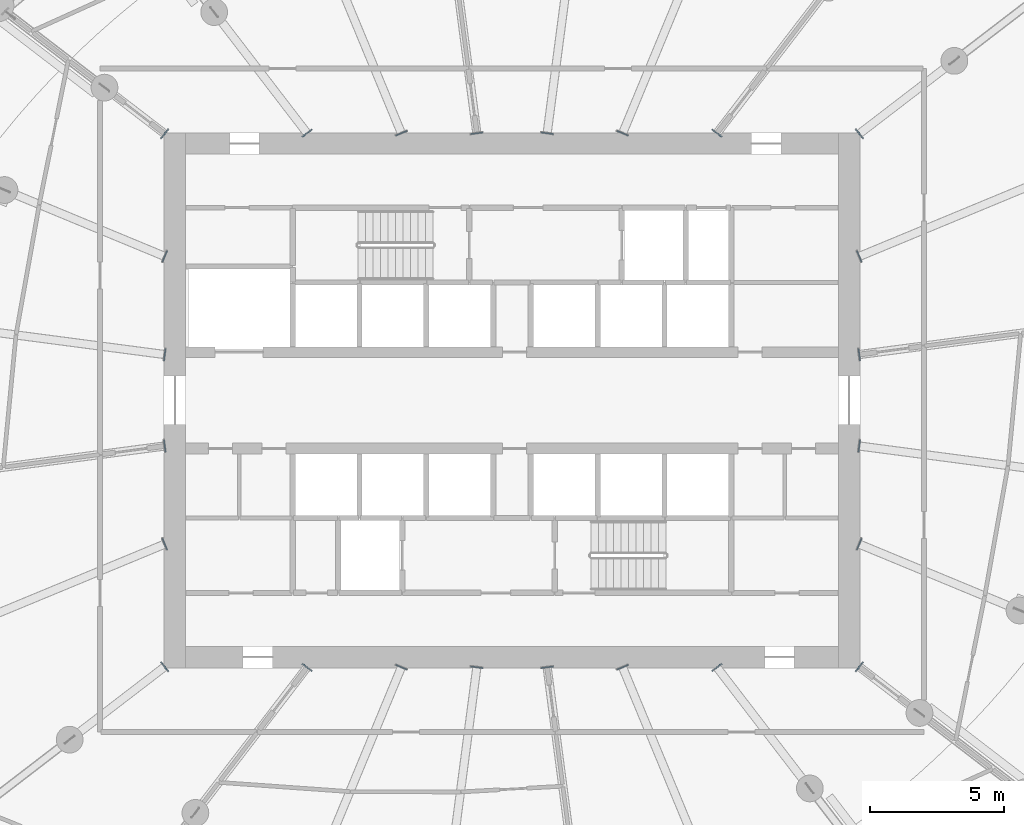
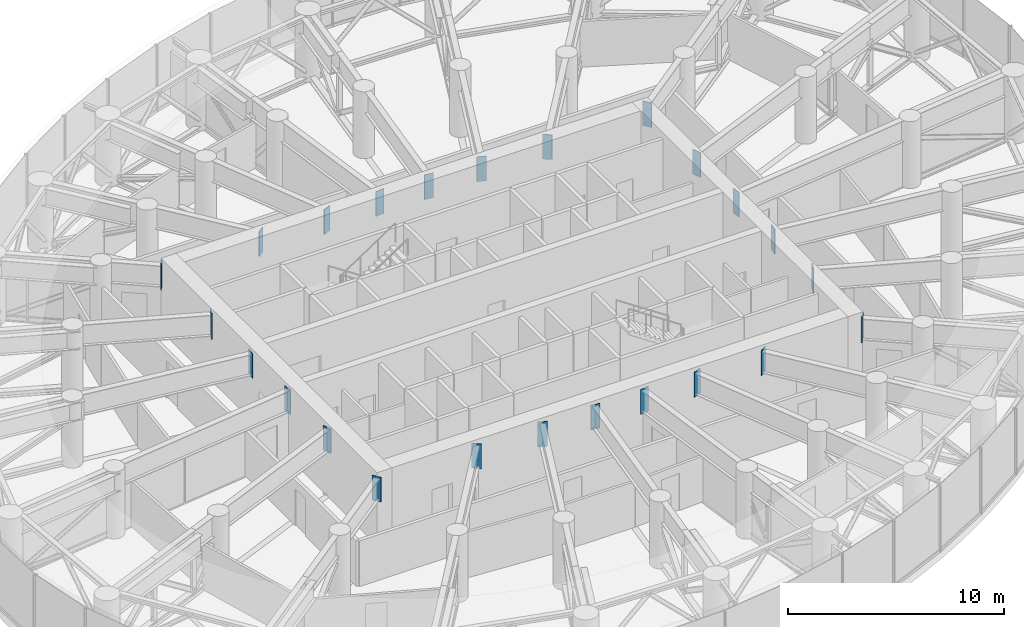
# One storey, part 20 of 33: 24 discrete accessories.
"""IFC4 building model written with IfcOpenShell, lengths in metres."""

import ifcopenshell
import ifcopenshell.guid

model = None  # the IFC model being written
_history = None  # IfcOwnerHistory: only IFC2X3 demands one
_inside = {}  # id of a spatial element -> (the spatial element, [elements in it])
_under = {}  # id of a project, library or spatial element -> (it, [spatial elements below it])
_declared = {}  # id of a project -> (the project, [libraries it declares])
_typed = {}  # id of a type object -> (the type object, [elements of that type])
_made_of = {}  # id of a material, layer set ... -> (it, [elements and type objects made of it])


def new_model(schema):
    """Start an empty IFC model of exactly this schema.

    Asked for "IFC4X3", IfcOpenShell would pick the latest addendum, in which some entities
    have other attributes; the version numbers below select the first issue.
    IFC2X3 requires an IfcOwnerHistory on every rooted entity: one is made here for all.
    """
    global model, _history
    if schema == "IFC4X3":
        model = ifcopenshell.file(schema_version=(4, 3, 0, 0))
    else:
        model = ifcopenshell.file(schema=schema)
    _inside.clear()
    _under.clear()
    _declared.clear()
    _typed.clear()
    _made_of.clear()
    _history = None
    if model.schema == "IFC2X3":
        org = make("IfcOrganization", Name="unknown")
        user = make(
            "IfcPersonAndOrganization",
            ThePerson=make("IfcPerson", FamilyName="unknown"),
            TheOrganization=org,
        )
        app = make(
            "IfcApplication",
            ApplicationDeveloper=org,
            Version="unknown",
            ApplicationFullName="unknown",
            ApplicationIdentifier="unknown",
        )
        _history = make(
            "IfcOwnerHistory",
            OwningUser=user,
            OwningApplication=app,
            ChangeAction="ADDED",
            CreationDate=0,
        )
    return model


def make(cls, **values):
    """One entity of the class cls with the attributes given. An attribute that is None is left unset."""
    return model.create_entity(
        cls, **{name: value for name, value in values.items() if value is not None}
    )


def rooted(cls, **values):
    """An entity with a GlobalId (a new one), such as an element, a storey or a relation."""
    return make(cls, GlobalId=ifcopenshell.guid.new(), OwnerHistory=_history, **values)


def si_unit(unit_type, name, prefix=None):
    """IfcSIUnit, for example si_unit("LENGTHUNIT", "METRE", prefix="MILLI")."""
    return make("IfcSIUnit", UnitType=unit_type, Prefix=prefix, Name=name)


def assignment(units):
    """IfcUnitAssignment: the units of a project."""
    return None if units is None else make("IfcUnitAssignment", Units=units)


def point(xyz):
    """IfcCartesianPoint."""
    return None if xyz is None else make("IfcCartesianPoint", Coordinates=xyz)


def direction(xyz):
    """IfcDirection."""
    return None if xyz is None else make("IfcDirection", DirectionRatios=xyz)


def frame(location, z_axis=None, x_axis=None):
    """IfcAxis2Placement3D, a coordinate frame: its origin and axes. An axis left out is left unset."""
    return make(
        "IfcAxis2Placement3D",
        Location=point(location),
        Axis=direction(z_axis),
        RefDirection=direction(x_axis),
    )


def frame_2d(location, x_axis=None):
    """IfcAxis2Placement2D, a coordinate frame in the plane: its origin and x axis."""
    return make(
        "IfcAxis2Placement2D", Location=point(location), RefDirection=direction(x_axis)
    )


def origin():
    """The frame at (0, 0, 0) with its axes left unset."""
    return frame((0.0, 0.0, 0.0))


def origin_2d():
    """The frame at (0, 0) in the plane with its x axis left unset."""
    return frame_2d((0.0, 0.0))


def place(relative_to, where):
    """IfcLocalPlacement: puts the frame where relative to a parent placement (None: the world)."""
    return make(
        "IfcLocalPlacement", PlacementRelTo=relative_to, RelativePlacement=where
    )


def context(
    kind, dimensions, precision=None, world=None, true_north=None, identifier=None
):
    """IfcGeometricRepresentationContext, for example the 3D "Model" context."""
    return make(
        "IfcGeometricRepresentationContext",
        ContextIdentifier=identifier,
        ContextType=kind,
        CoordinateSpaceDimension=dimensions,
        Precision=precision,
        WorldCoordinateSystem=world,
        TrueNorth=true_north,
    )


def subcontext(parent, identifier, kind, view, scale=None):
    """IfcGeometricRepresentationSubContext, for example "Body" below "Model"."""
    return make(
        "IfcGeometricRepresentationSubContext",
        ContextIdentifier=identifier,
        ContextType=kind,
        ParentContext=parent,
        TargetScale=scale,
        TargetView=view,
    )


def project(units=None, contexts=None):
    """IfcProject with its units and contexts."""
    return rooted(
        "IfcProject",
        Name="project",
        RepresentationContexts=contexts,
        UnitsInContext=assignment(units),
    )


def spatial(cls, under=None, at=None, **own):
    """A site, building, storey or space (cls), placed at a placement, below another one or the project."""
    s = rooted(cls, ObjectPlacement=at, **own)
    if under is not None:
        _under.setdefault(under.id(), (under, []))[1].append(s)
    return s


def profile(cls, at=None, kind="AREA", **sizes):
    """A parametric profile (cls). Its sizes go by their IFC names, for example OverallWidth=200.0."""
    return make(cls, ProfileType=kind, Position=at, **sizes)


def rectangle(**sizes):
    """IfcRectangleProfileDef."""
    return profile("IfcRectangleProfileDef", **sizes)


def extrude(swept, where, along, depth):
    """IfcExtrudedAreaSolid: the profile swept, set in the frame where, extruded along a direction by depth."""
    return make(
        "IfcExtrudedAreaSolid",
        SweptArea=swept,
        Position=where,
        ExtrudedDirection=direction(along),
        Depth=depth,
    )


def shape(context_of_items, identifier, shape_type, items):
    """IfcShapeRepresentation: the items that make up one representation, for example the "Body"."""
    return make(
        "IfcShapeRepresentation",
        ContextOfItems=context_of_items,
        RepresentationIdentifier=identifier,
        RepresentationType=shape_type,
        Items=items,
    )


def source(mapping_origin, context_of_items, identifier, shape_type, items):
    """IfcRepresentationMap: a shape defined once, which mapped items show again and again."""
    return make(
        "IfcRepresentationMap",
        MappingOrigin=mapping_origin,
        MappedRepresentation=shape(context_of_items, identifier, shape_type, items),
    )


def transform(
    local_origin,
    x_axis=None,
    y_axis=None,
    z_axis=None,
    scale=None,
    scale2=None,
    scale3=None,
    uniform=True,
):
    """IfcCartesianTransformationOperator3D, or its non-uniform kind. x_axis, y_axis, z_axis: its Axis1, 2, 3."""
    if uniform:
        return make(
            "IfcCartesianTransformationOperator3D",
            Axis1=direction(x_axis),
            Axis2=direction(y_axis),
            LocalOrigin=point(local_origin),
            Scale=scale,
            Axis3=direction(z_axis),
        )
    return make(
        "IfcCartesianTransformationOperator3DnonUniform",
        Axis1=direction(x_axis),
        Axis2=direction(y_axis),
        LocalOrigin=point(local_origin),
        Scale=scale,
        Axis3=direction(z_axis),
        Scale2=scale2,
        Scale3=scale3,
    )


def mapped(mapping_source, mapping_target):
    """IfcMappedItem: shows the shape of a source again, moved by a transform."""
    return make(
        "IfcMappedItem", MappingSource=mapping_source, MappingTarget=mapping_target
    )


def material(Name=None, Category=None):
    """IfcMaterial."""
    return make("IfcMaterial", Name=Name, Category=Category)


def layer(
    of_material, thickness, ventilated=None, Name=None, Category=None, Priority=None
):
    """IfcMaterialLayer: one layer of a wall or slab, of a material (None: an air gap)."""
    return make(
        "IfcMaterialLayer",
        Material=of_material,
        LayerThickness=thickness,
        IsVentilated=ventilated,
        Name=Name,
        Category=Category,
        Priority=Priority,
    )


def layer_set(layers, Name=None):
    """IfcMaterialLayerSet."""
    return make("IfcMaterialLayerSet", MaterialLayers=layers, LayerSetName=Name)


def made_of(thing, what):
    """Note that an element or type object is made of a material, layer set ...; save() writes the relation."""
    if what is not None:
        _made_of.setdefault(what.id(), (what, []))[1].append(thing)
    return thing


def type_object(cls, material=None, **own):
    """A type object (cls), such as IfcWallType, which elements share."""
    return made_of(rooted(cls, **own), material)


def element(
    cls,
    number,
    at=None,
    inside=None,
    cuts=None,
    type_object=None,
    material=None,
    context=None,
    identifier="Body",
    shape_type=None,
    held_by="IfcProductDefinitionShape",
    body=None,
    shapes=None,
    **own,
):
    """One element of the class cls, such as IfcWall. Its Tag is "e" and its number.

    at: its placement. inside: the storey or other place that contains it. cuts: it is an
    opening in that element (IfcRelVoidsElement). A single representation is given by context,
    identifier, shape_type and body (its items); several are given by shapes. held_by: the class
    of the entity that holds the representations. save() writes the other relations.
    """
    e = rooted(cls, Tag="e%d" % number, ObjectPlacement=at, **own)
    if body is not None:
        shapes = [shape(context, identifier, shape_type, body)]
    if shapes is not None:
        e.Representation = make(held_by, Representations=shapes)
    if inside is not None:
        _inside.setdefault(inside.id(), (inside, []))[1].append(e)
    if cuts is not None:
        rooted(
            "IfcRelVoidsElement", RelatingBuildingElement=cuts, RelatedOpeningElement=e
        )
    if type_object is not None:
        _typed.setdefault(type_object.id(), (type_object, []))[1].append(e)
    return made_of(e, material)


def aggregate(whole, parts):
    """IfcRelAggregates: a whole, such as a stair, and the parts it consists of."""
    return rooted("IfcRelAggregates", RelatingObject=whole, RelatedObjects=parts)


def save(model, path):
    """Write the relations noted so far, then the file.

    IfcRelAggregates (storeys below a building ...), IfcRelContainedInSpatialStructure (elements
    in a storey), IfcRelDefinesByType, IfcRelAssociatesMaterial and IfcRelDeclares: one each for
    every whole, place, type object, material and project.
    """
    for whole, parts in _under.values():
        aggregate(whole, parts)
    for where, things in _inside.values():
        rooted(
            "IfcRelContainedInSpatialStructure",
            RelatedElements=things,
            RelatingStructure=where,
        )
    for kind, things in _typed.values():
        rooted("IfcRelDefinesByType", RelatedObjects=things, RelatingType=kind)
    for what, things in _made_of.values():
        rooted("IfcRelAssociatesMaterial", RelatedObjects=things, RelatingMaterial=what)
    for by, libraries in _declared.values():
        rooted("IfcRelDeclares", RelatingContext=by, RelatedDefinitions=libraries)
    model.write(path)


model = new_model("IFC4")

# Units and contexts
model_context = context("Model", 3, precision=1e-05, world=origin(), true_north=direction((0.0, 1.0)))
body_context = subcontext(model_context, "Body", "Model", "MODEL_VIEW")
ifc_project = project(units=[si_unit("LENGTHUNIT", "METRE"), si_unit("AREAUNIT", "SQUARE_METRE"), si_unit("VOLUMEUNIT", "CUBIC_METRE"), si_unit("PLANEANGLEUNIT", "RADIAN"), si_unit("MASSUNIT", "GRAM", prefix="KILO")], contexts=[model_context])

# Site, building, storey
site_placement = place(None, origin())
site = spatial("IfcSite", under=ifc_project, at=site_placement, CompositionType="ELEMENT")
building_placement = place(site_placement, origin())
building = spatial("IfcBuilding", under=site, at=building_placement, Name="Spindrift Exchange Tower", CompositionType="ELEMENT")
storey_placement = place(building_placement, frame((0.0, 0.0, 129.0)))
storey = spatial("IfcBuildingStorey", under=building, at=storey_placement, Name="L30", CompositionType="ELEMENT", Elevation=129.0)

# Discrete accessories
ifc_material = material(Name="Steel Grade 350", Category="steel")
ifc_layer = layer(ifc_material, 0.0400390625)
ifc_layer_set = layer_set([ifc_layer], Name="Cast-in plate 450x1400x40 Steel Grade 350")
discrete_accessory_type = type_object("IfcDiscreteAccessoryType", Name="Cast-in plate 450x1400x40 Steel Grade 350", PredefinedType="USERDEFINED", material=ifc_layer_set)
shared_shape = source(origin(), body_context, "Body", "SweptSolid", [
    extrude(rectangle(XDim=0.0400390625, YDim=0.449951171875, at=origin_2d()), origin(), (0.0, 0.0, 1.0), 1.39990234375),
])
for number, where, z_axis, x_axis, name in (
    (1, (64.980224609375, 49.708984375, 2.47998046875), (0.0, 0.0, 1.0), (0.991444861374, 0.13052619222, 0.0), "L30 cast-in plate CP1 01"),
    (2, (64.9814453125, 53.377197265625, 2.47998046875), (0.0, 0.0, 1.0), (0.923879532511, 0.382683432365, 0.0), "L30 cast-in plate CP1 02"),
    (3, (64.984130859375, 57.963134765625, 2.47998046875), (0.0, 0.0, 1.0), (0.793353340291, 0.608761429009, 0.0), "L30 cast-in plate CP1 03"),
    (4, (59.6611328125, 57.984130859375, 2.47998046875), (0.0, 0.0, 1.0), (0.608761429009, 0.793353340291, 0.0), "L30 cast-in plate CP1 04"),
    (5, (56.134521484375, 57.9814453125, 2.47998046875), (0.0, 0.0, 1.0), (0.382683432365, 0.923879532511, 0.0), "L30 cast-in plate CP1 05"),
    (6, (53.31396484375, 57.980224609375, 2.47998046875), (0.0, 0.0, 1.0), (0.13052619222, 0.991444861374, 0.0), "L30 cast-in plate CP1 06"),
    (7, (50.68603515625, 57.980224609375, 2.47998046875), (0.0, 0.0, 1.0), (-0.13052619222, 0.991444861374, 0.0), "L30 cast-in plate CP1 07"),
    (8, (47.865478515625, 57.9814453125, 2.47998046875), (0.0, 0.0, 1.0), (-0.382683432365, 0.923879532511, 0.0), "L30 cast-in plate CP1 08"),
    (9, (44.3388671875, 57.984130859375, 2.47998046875), (0.0, 0.0, 1.0), (-0.608761429009, 0.793353340291, 0.0), "L30 cast-in plate CP1 09"),
    (10, (39.015869140625, 57.963134765625, 2.47998046875), (0.0, 0.0, 1.0), (-0.793353340291, 0.608761429009, 0.0), "L30 cast-in plate CP1 10"),
    (11, (39.0185546875, 53.377197265625, 2.47998046875), (0.0, 0.0, 1.0), (-0.923879532511, 0.382683432365, 0.0), "L30 cast-in plate CP1 11"),
    (12, (39.019775390625, 49.708984375, 2.47998046875), (0.0, 0.0, 1.0), (-0.991444861374, 0.13052619222, 0.0), "L30 cast-in plate CP1 12"),
    (13, (39.019775390625, 46.291015625, 2.47998046875), (0.0, 0.0, 1.0), (-0.991444861374, -0.13052619222, 0.0), "L30 cast-in plate CP1 13"),
    (14, (39.0185546875, 42.622802734375, 2.47998046875), (0.0, 0.0, 1.0), (-0.923879532511, -0.382683432365, 0.0), "L30 cast-in plate CP1 14"),
    (15, (39.015869140625, 38.036865234375, 2.47998046875), (0.0, 0.0, 1.0), (-0.793353340291, -0.608761429009, 0.0), "L30 cast-in plate CP1 15"),
    (16, (44.3388671875, 38.015869140625, 2.47998046875), (0.0, 0.0, 1.0), (-0.608761429009, -0.793353340291, 0.0), "L30 cast-in plate CP1 16"),
    (17, (47.865478515625, 38.0185546875, 2.47998046875), (0.0, 0.0, 1.0), (-0.382683432365, -0.923879532511, 0.0), "L30 cast-in plate CP1 17"),
    (18, (50.68603515625, 38.019775390625, 2.47998046875), (0.0, 0.0, 1.0), (-0.13052619222, -0.991444861374, 0.0), "L30 cast-in plate CP1 18"),
    (19, (53.31396484375, 38.019775390625, 2.47998046875), (0.0, 0.0, 1.0), (0.13052619222, -0.991444861374, 0.0), "L30 cast-in plate CP1 19"),
    (20, (56.134521484375, 38.0185546875, 2.47998046875), (0.0, 0.0, 1.0), (0.382683432365, -0.923879532511, 0.0), "L30 cast-in plate CP1 20"),
    (21, (59.6611328125, 38.015869140625, 2.47998046875), (0.0, 0.0, 1.0), (0.608761429009, -0.793353340291, 0.0), "L30 cast-in plate CP1 21"),
    (22, (64.984130859375, 38.036865234375, 2.47998046875), (0.0, 0.0, 1.0), (0.793353340291, -0.608761429009, 0.0), "L30 cast-in plate CP1 22"),
    (23, (64.9814453125, 42.622802734375, 2.47998046875), (0.0, 0.0, 1.0), (0.923879532511, -0.382683432365, 0.0), "L30 cast-in plate CP1 23"),
    (24, (64.980224609375, 46.291015625, 2.47998046875), (0.0, 0.0, 1.0), (0.991444861374, -0.13052619222, 0.0), "L30 cast-in plate CP1 24"),
):
    element("IfcDiscreteAccessory", number, at=place(storey_placement, frame(where, z_axis=z_axis, x_axis=x_axis)), inside=storey, type_object=discrete_accessory_type, Name=name, ObjectType="Cast-in plate", PredefinedType="USERDEFINED", context=body_context, shape_type="MappedRepresentation", body=[
        mapped(shared_shape, transform((0.0, 0.0, 0.0), scale=1.0)),
    ])

save(model, "model.ifc")
